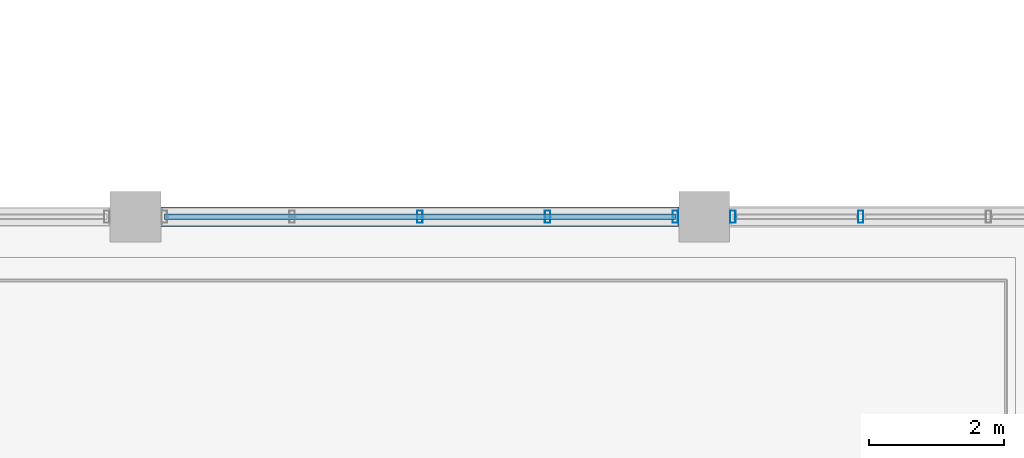
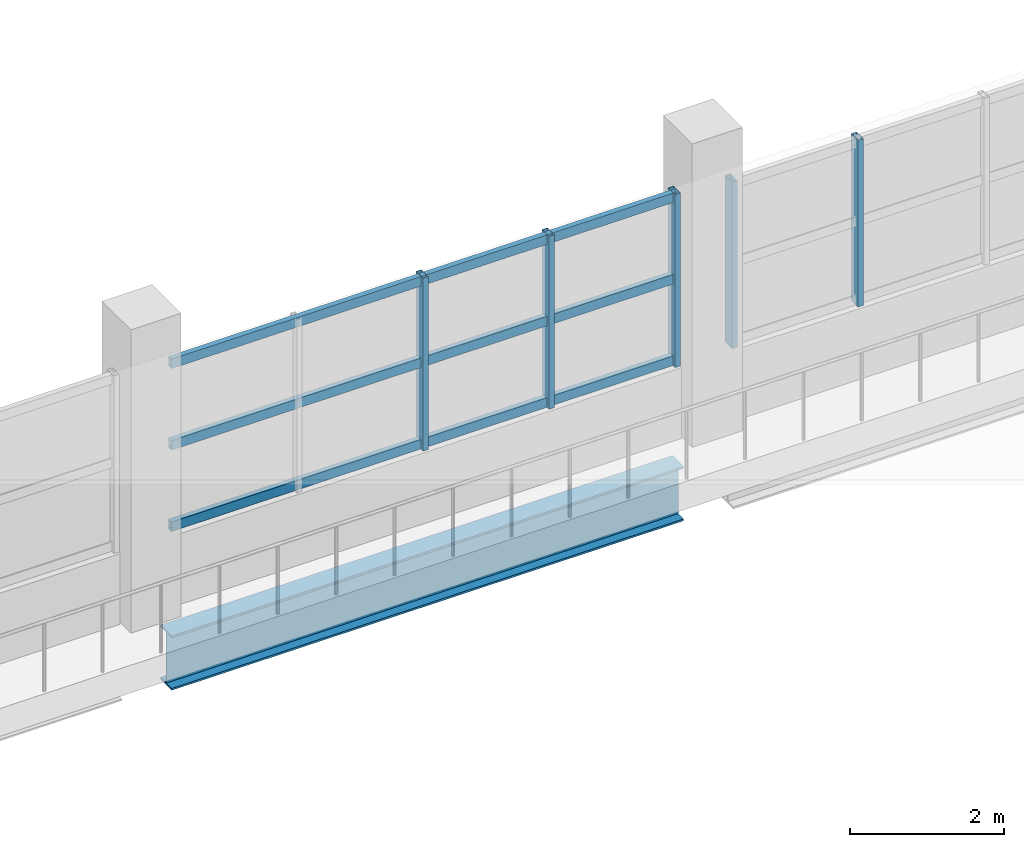
# One storey, part 37 of 77: 8 members, 1 beam, 2 elements without a shape of their own.
"""IFC4 building model written with IfcOpenShell, lengths in metres."""

from ifc_helpers import new_model, si_unit, direction, frame, origin, origin_2d, place, context, subcontext, project, spatial, hollow_rectangle, i_section, extrude, material, material_profile, profile_set, type_object, element, aggregate, save


model = new_model("IFC4")

# Units and contexts
model_context = context("Model", 3, precision=1e-05, world=origin(), true_north=direction((0.0, 1.0)))
body_context = subcontext(model_context, "Body", "Model", "MODEL_VIEW")
ifc_project = project(units=[si_unit("LENGTHUNIT", "METRE"), si_unit("AREAUNIT", "SQUARE_METRE"), si_unit("VOLUMEUNIT", "CUBIC_METRE"), si_unit("PLANEANGLEUNIT", "RADIAN"), si_unit("MASSUNIT", "GRAM", prefix="KILO")], contexts=[model_context])

# Site, building, storey
site_placement = place(None, origin())
site = spatial("IfcSite", under=ifc_project, at=site_placement, CompositionType="ELEMENT")
building_placement = place(site_placement, origin())
building = spatial("IfcBuilding", under=site, at=building_placement, Name="Solvento Point Concert Hall", CompositionType="ELEMENT")
storey_placement = place(building_placement, frame((0.0, 0.0, 10.199951171875)))
storey = spatial("IfcBuildingStorey", under=building, at=storey_placement, Name="L02", CompositionType="ELEMENT", Elevation=10.199951171875)

# Beam
ifc_material_1 = material(Name="Structural Steel ASTM A992 Grade 50", Category="steel")
ifc_material_profile_1 = material_profile(ifc_material_1, i_section(OverallWidth=0.2919921875, OverallDepth=0.85888671875, WebThickness=0.01708984375, FlangeThickness=0.031005859375, at=origin_2d()), Name="W33X169")
ifc_profile_set_1 = profile_set([ifc_material_profile_1], Name="Structural Steel ASTM A992 Grade 50")
beam_type = type_object("IfcBeamType", Name="Girder_W33X169", PredefinedType="USERDEFINED", material=ifc_profile_set_1)
beam_placement = place(storey_placement, frame((175.569091796875, 25.5, -0.87353515625), z_axis=(1.0, 0.0, 0.0), x_axis=(0.0, 1.0, 0.0)))
element("IfcBeam", 1, at=beam_placement, inside=storey, type_object=beam_type, Name="Primary girder B-33 L02", ObjectType="GIRDER", PredefinedType="USERDEFINED", context=body_context, shape_type="SweptSolid", body=[
    extrude(i_section(OverallWidth=0.2919921875, OverallDepth=0.85888671875, WebThickness=0.01708984375, FlangeThickness=0.031005859375, at=origin_2d()), origin(), (0.0, 0.0, 1.0), 7.661865234375),
])

# Curtain wall, members
ifc_material_2 = material(Name="Anodized Bronze Aluminium", Category="aluminium")
curtain_wall_type = type_object("IfcCurtainWallType", Name="CurtainWall_ChamberCircle", PredefinedType="USERDEFINED", material=ifc_material_2)
curtain_wall_1_placement = place(storey_placement, origin())
curtain_wall_1 = element("IfcCurtainWall", 2, at=curtain_wall_1_placement, inside=storey, type_object=curtain_wall_type, Name="Unitised curtain wall CW-32 UCW-L02-148", ObjectType="UNITISED CURTAIN WALL", PredefinedType="USERDEFINED")
ifc_material_3 = material(Name="Anodized Bronze Aluminium", Category="aluminium")
ifc_material_profile_2 = material_profile(ifc_material_3, hollow_rectangle(XDim=0.080078125, YDim=0.179931640625, WallThickness=0.00390625, at=origin_2d()), Name="CW-MUL-80X180")
ifc_profile_set_2 = profile_set([ifc_material_profile_2], Name="Anodized Bronze Aluminium")
member_type_1 = type_object("IfcMemberType", Name="Mullion_80x180", PredefinedType="MULLION", material=ifc_profile_set_2)
member_1_placement = place(storey_placement, frame((179.39990234375, 25.5, 1.1201171875), z_axis=(0.0, 0.0, 1.0), x_axis=(1.0, 0.0, 0.0)))
member_1 = element("IfcMember", 3, at=member_1_placement, type_object=member_type_1, Name="Curtain wall mullion ML-01", PredefinedType="MULLION", context=body_context, shape_type="SweptSolid", body=[
    extrude(hollow_rectangle(XDim=0.080078125, YDim=0.179931640625, WallThickness=0.00390625, at=origin_2d()), origin(), (0.0, 0.0, 1.0), 2.73681640625),
])
member_2_placement = place(storey_placement, frame((181.28759765625, 25.5, 1.1201171875), z_axis=(0.0, 0.0, 1.0), x_axis=(1.0, 0.0, 0.0)))
member_2 = element("IfcMember", 4, at=member_2_placement, type_object=member_type_1, Name="Curtain wall mullion ML-01", PredefinedType="MULLION", context=body_context, shape_type="SweptSolid", body=[
    extrude(hollow_rectangle(XDim=0.080078125, YDim=0.179931640625, WallThickness=0.00390625, at=origin_2d()), origin(), (0.0, 0.0, 1.0), 2.73681640625),
])
member_3_placement = place(storey_placement, frame((183.175048828125, 25.5, 1.1201171875), z_axis=(0.0, 0.0, 1.0), x_axis=(1.0, 0.0, 0.0)))
member_3 = element("IfcMember", 5, at=member_3_placement, type_object=member_type_1, Name="Curtain wall mullion ML-01", PredefinedType="MULLION", context=body_context, shape_type="SweptSolid", body=[
    extrude(hollow_rectangle(XDim=0.080078125, YDim=0.179931640625, WallThickness=0.00390625, at=origin_2d()), origin(), (0.0, 0.0, 1.0), 2.73681640625),
])

curtain_wall_2_placement = place(storey_placement, origin())
curtain_wall_2 = element("IfcCurtainWall", 6, at=curtain_wall_2_placement, inside=storey, type_object=curtain_wall_type, Name="Unitised curtain wall CW-32 UCW-L02-149", ObjectType="UNITISED CURTAIN WALL", PredefinedType="USERDEFINED")
member_4_placement = place(storey_placement, frame((184.02490234375, 25.5, 1.1201171875), z_axis=(0.0, 0.0, 1.0), x_axis=(1.0, 0.0, 0.0)))
member_4 = element("IfcMember", 7, at=member_4_placement, type_object=member_type_1, Name="Curtain wall mullion ML-01", PredefinedType="MULLION", context=body_context, shape_type="SweptSolid", body=[
    extrude(hollow_rectangle(XDim=0.080078125, YDim=0.179931640625, WallThickness=0.00390625, at=origin_2d()), origin(), (0.0, 0.0, 1.0), 2.637939453125),
])
member_5_placement = place(storey_placement, frame((185.91259765625, 25.5, 1.1201171875), z_axis=(0.0, 0.0, 1.0), x_axis=(1.0, 0.0, 0.0)))
member_5 = element("IfcMember", 8, at=member_5_placement, type_object=member_type_1, Name="Curtain wall mullion ML-01", PredefinedType="MULLION", context=body_context, shape_type="SweptSolid", body=[
    extrude(hollow_rectangle(XDim=0.080078125, YDim=0.179931640625, WallThickness=0.00390625, at=origin_2d()), origin(), (0.0, 0.0, 1.0), 2.637939453125),
])
aggregate(curtain_wall_2, [member_4, member_5])

# Member
ifc_material_4 = material(Name="Anodized Bronze Aluminium", Category="aluminium")
ifc_material_profile_3 = material_profile(ifc_material_4, hollow_rectangle(XDim=0.080078125, YDim=0.14990234375, WallThickness=0.00390625, at=origin_2d()), Name="CW-TRN-80X150")
ifc_profile_set_3 = profile_set([ifc_material_profile_3], Name="Anodized Bronze Aluminium")
member_type_2 = type_object("IfcMemberType", Name="Transom_80x150", PredefinedType="USERDEFINED", material=ifc_profile_set_3)
member_6_placement = place(storey_placement, frame((175.625, 25.5, 1.199951171875), z_axis=(1.0, 0.0, 0.0), x_axis=(0.0, 1.0, 0.0)))
member_6 = element("IfcMember", 9, at=member_6_placement, type_object=member_type_2, Name="Curtain wall transom TR-01", ObjectType="TRANSOM", PredefinedType="USERDEFINED", context=body_context, shape_type="SweptSolid", body=[
    extrude(hollow_rectangle(XDim=0.080078125, YDim=0.14990234375, WallThickness=0.00390625, at=origin_2d()), origin(), (0.0, 0.0, 1.0), 7.550048828125),
])

member_7_placement = place(storey_placement, frame((175.625, 25.5, 2.488525390625), z_axis=(1.0, 0.0, 0.0), x_axis=(0.0, 1.0, 0.0)))
member_7 = element("IfcMember", 10, at=member_7_placement, type_object=member_type_2, Name="Curtain wall transom TR-01", ObjectType="TRANSOM", PredefinedType="USERDEFINED", context=body_context, shape_type="SweptSolid", body=[
    extrude(hollow_rectangle(XDim=0.080078125, YDim=0.14990234375, WallThickness=0.00390625, at=origin_2d()), origin(), (0.0, 0.0, 1.0), 7.550048828125),
])

member_8_placement = place(storey_placement, frame((175.625, 25.5, 3.777099609375), z_axis=(1.0, 0.0, 0.0), x_axis=(0.0, 1.0, 0.0)))
member_8 = element("IfcMember", 11, at=member_8_placement, type_object=member_type_2, Name="Curtain wall transom TR-01", ObjectType="TRANSOM", PredefinedType="USERDEFINED", context=body_context, shape_type="SweptSolid", body=[
    extrude(hollow_rectangle(XDim=0.080078125, YDim=0.14990234375, WallThickness=0.00390625, at=origin_2d()), origin(), (0.0, 0.0, 1.0), 7.550048828125),
])

aggregate(curtain_wall_1, [member_1, member_2, member_3, member_6, member_7, member_8])

save(model, "model.ifc")
